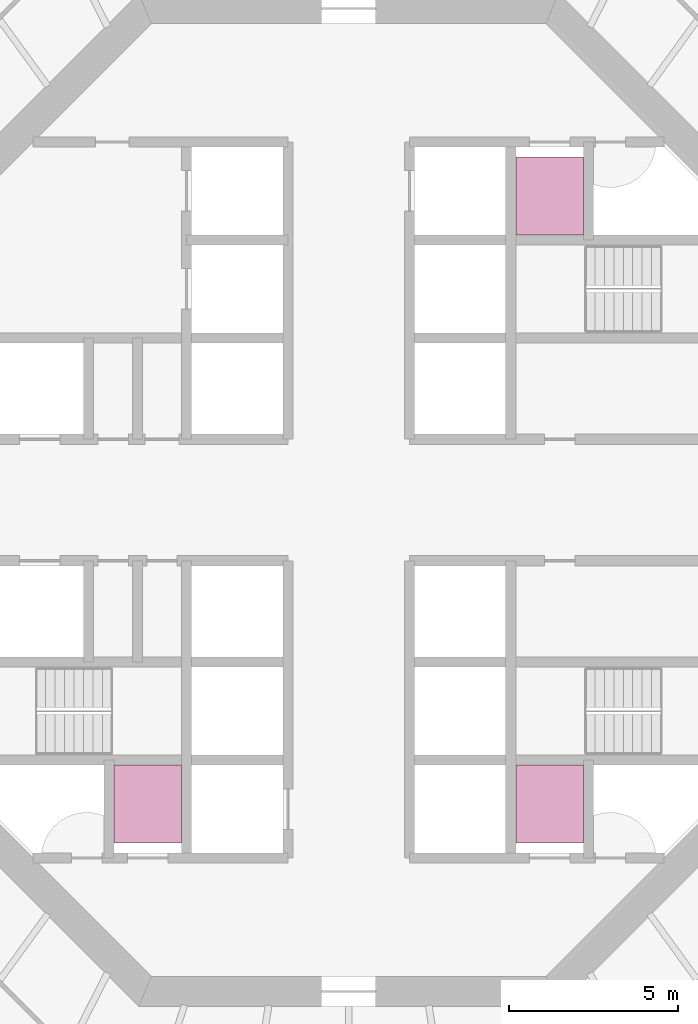
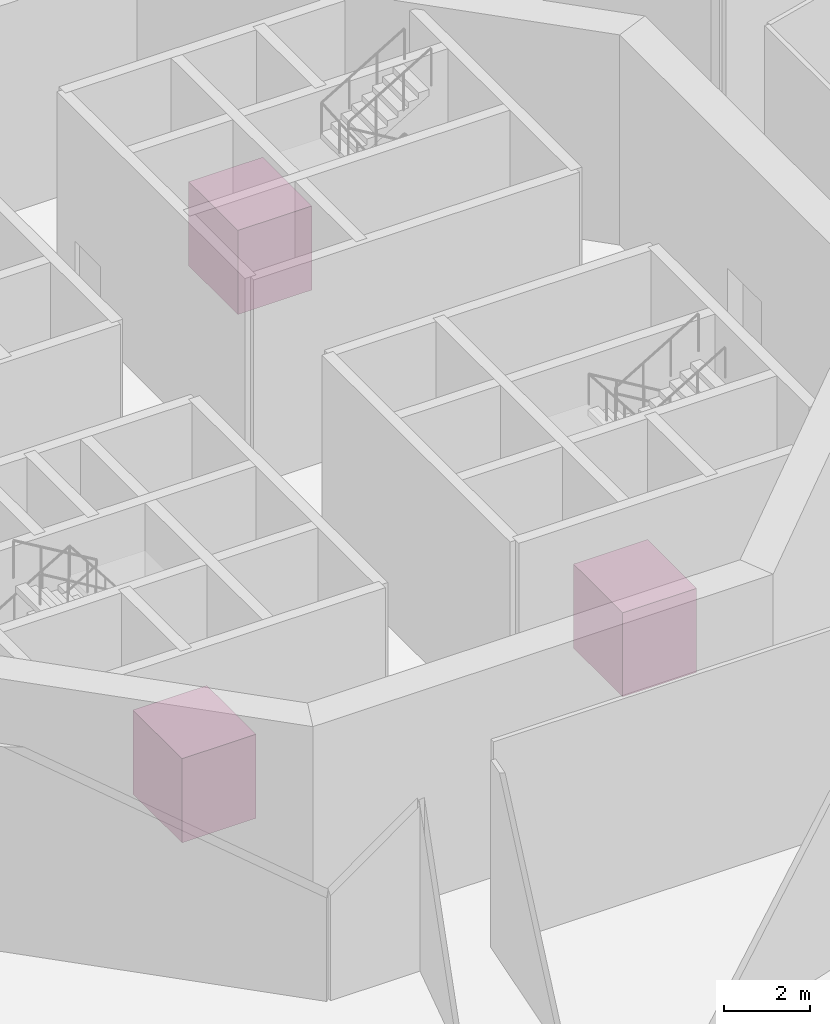
# One storey, part 14 of 14: 3 transport elements.
"""IFC4 building model written with IfcOpenShell, lengths in metres."""

from ifc_helpers import new_model, si_unit, direction, frame, origin, origin_2d, place, context, subcontext, project, spatial, rectangle, extrude, material, type_object, element, save


model = new_model("IFC4")

# Units and contexts
model_context = context("Model", 3, precision=1e-05, world=origin(), true_north=direction((0.0, 1.0)))
body_context = subcontext(model_context, "Body", "Model", "MODEL_VIEW")
ifc_project = project(units=[si_unit("LENGTHUNIT", "METRE"), si_unit("AREAUNIT", "SQUARE_METRE"), si_unit("VOLUMEUNIT", "CUBIC_METRE"), si_unit("PLANEANGLEUNIT", "RADIAN"), si_unit("MASSUNIT", "GRAM", prefix="KILO")], contexts=[model_context])

# Site, building, storey
site_placement = place(None, origin())
site = spatial("IfcSite", under=ifc_project, at=site_placement, CompositionType="ELEMENT")
building_placement = place(site_placement, origin())
building = spatial("IfcBuilding", under=site, at=building_placement, Name="Entoto Ring Tower", CompositionType="ELEMENT")
storey_placement = place(building_placement, frame((0.0, 0.0, 262.0)))
storey = spatial("IfcBuildingStorey", under=building, at=storey_placement, Name="L60", CompositionType="ELEMENT", Elevation=262.0)

# Transport elements
ifc_material = material(Name="Steel S355", Category="steel")
transport_element_type = type_object("IfcTransportElementType", Name="Passenger lift 2000 x 2300 1800 kg", PredefinedType="ELEVATOR", material=ifc_material)
for number, where, z_axis, x_axis, name in (
    (1, (95.949951171875, 89.0, 0.0), (0.0, 0.0, 1.0), (1.0, 0.0, 0.0), "Lift LB1-HR"),
    (2, (95.949951171875, 71.0, 0.0), (0.0, 0.0, 1.0), (1.0, 0.0, 0.0), "Lift LB2-HR"),
    (3, (84.050048828125, 71.0, 0.0), (0.0, 0.0, 1.0), (1.0, 0.0, 0.0), "Lift LB3-HR"),
):
    element("IfcTransportElement", number, at=place(storey_placement, frame(where, z_axis=z_axis, x_axis=x_axis)), inside=storey, type_object=transport_element_type, Name=name, PredefinedType="ELEVATOR", context=body_context, shape_type="SweptSolid", body=[
        extrude(rectangle(XDim=2.0, YDim=2.300048828125, at=origin_2d()), origin(), (0.0, 0.0, 1.0), 2.39990234375),
    ])

save(model, "model.ifc")
